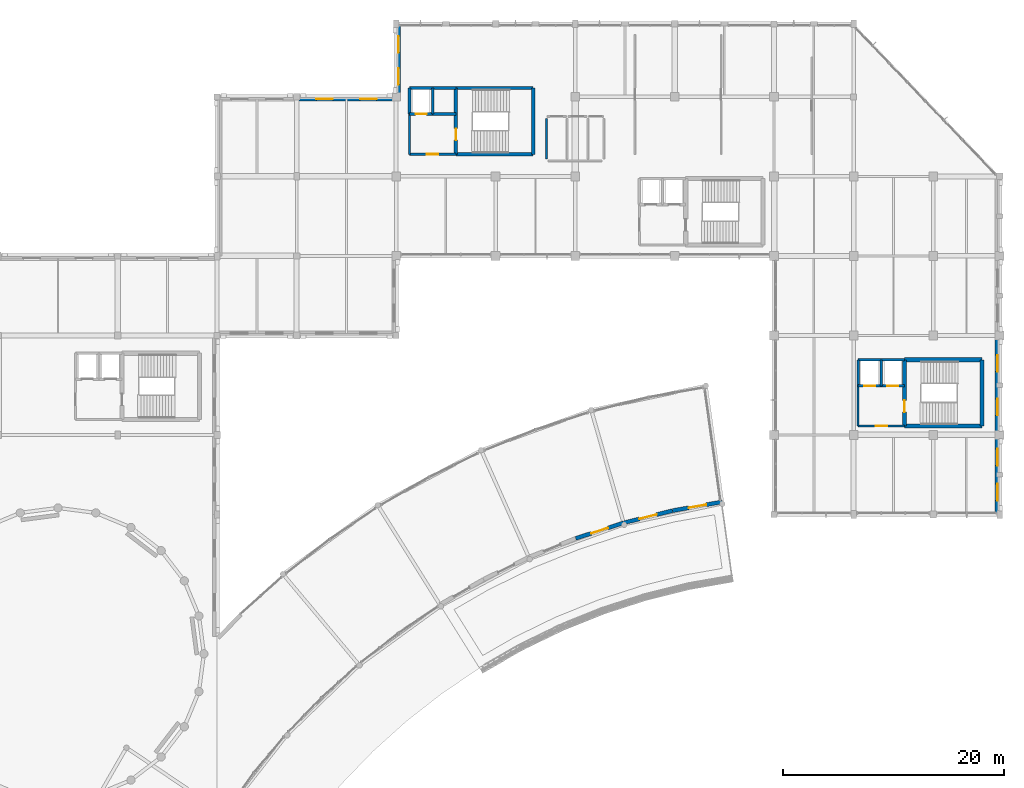
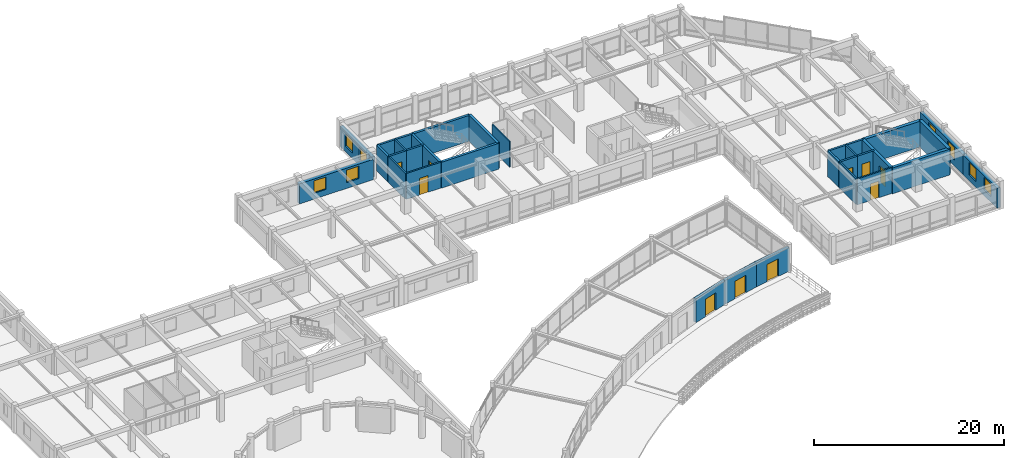
# One storey, part 57 of 74: 30 walls, 10 doors, 8 windows, 18 openings.
"""IFC4 building model written with IfcOpenShell, lengths in metres."""

import ifcopenshell
import ifcopenshell.guid

model = None  # the IFC model being written
_history = None  # IfcOwnerHistory: only IFC2X3 demands one
_inside = {}  # id of a spatial element -> (the spatial element, [elements in it])
_under = {}  # id of a project, library or spatial element -> (it, [spatial elements below it])
_declared = {}  # id of a project -> (the project, [libraries it declares])
_typed = {}  # id of a type object -> (the type object, [elements of that type])
_made_of = {}  # id of a material, layer set ... -> (it, [elements and type objects made of it])


def new_model(schema):
    """Start an empty IFC model of exactly this schema.

    Asked for "IFC4X3", IfcOpenShell would pick the latest addendum, in which some entities
    have other attributes; the version numbers below select the first issue.
    IFC2X3 requires an IfcOwnerHistory on every rooted entity: one is made here for all.
    """
    global model, _history
    if schema == "IFC4X3":
        model = ifcopenshell.file(schema_version=(4, 3, 0, 0))
    else:
        model = ifcopenshell.file(schema=schema)
    _inside.clear()
    _under.clear()
    _declared.clear()
    _typed.clear()
    _made_of.clear()
    _history = None
    if model.schema == "IFC2X3":
        org = make("IfcOrganization", Name="unknown")
        user = make(
            "IfcPersonAndOrganization",
            ThePerson=make("IfcPerson", FamilyName="unknown"),
            TheOrganization=org,
        )
        app = make(
            "IfcApplication",
            ApplicationDeveloper=org,
            Version="unknown",
            ApplicationFullName="unknown",
            ApplicationIdentifier="unknown",
        )
        _history = make(
            "IfcOwnerHistory",
            OwningUser=user,
            OwningApplication=app,
            ChangeAction="ADDED",
            CreationDate=0,
        )
    return model


def make(cls, **values):
    """One entity of the class cls with the attributes given. An attribute that is None is left unset."""
    return model.create_entity(
        cls, **{name: value for name, value in values.items() if value is not None}
    )


def rooted(cls, **values):
    """An entity with a GlobalId (a new one), such as an element, a storey or a relation."""
    return make(cls, GlobalId=ifcopenshell.guid.new(), OwnerHistory=_history, **values)


def si_unit(unit_type, name, prefix=None):
    """IfcSIUnit, for example si_unit("LENGTHUNIT", "METRE", prefix="MILLI")."""
    return make("IfcSIUnit", UnitType=unit_type, Prefix=prefix, Name=name)


def assignment(units):
    """IfcUnitAssignment: the units of a project."""
    return None if units is None else make("IfcUnitAssignment", Units=units)


def point(xyz):
    """IfcCartesianPoint."""
    return None if xyz is None else make("IfcCartesianPoint", Coordinates=xyz)


def direction(xyz):
    """IfcDirection."""
    return None if xyz is None else make("IfcDirection", DirectionRatios=xyz)


def frame(location, z_axis=None, x_axis=None):
    """IfcAxis2Placement3D, a coordinate frame: its origin and axes. An axis left out is left unset."""
    return make(
        "IfcAxis2Placement3D",
        Location=point(location),
        Axis=direction(z_axis),
        RefDirection=direction(x_axis),
    )


def frame_2d(location, x_axis=None):
    """IfcAxis2Placement2D, a coordinate frame in the plane: its origin and x axis."""
    return make(
        "IfcAxis2Placement2D", Location=point(location), RefDirection=direction(x_axis)
    )


def origin():
    """The frame at (0, 0, 0) with its axes left unset."""
    return frame((0.0, 0.0, 0.0))


def place(relative_to, where):
    """IfcLocalPlacement: puts the frame where relative to a parent placement (None: the world)."""
    return make(
        "IfcLocalPlacement", PlacementRelTo=relative_to, RelativePlacement=where
    )


def context(
    kind, dimensions, precision=None, world=None, true_north=None, identifier=None
):
    """IfcGeometricRepresentationContext, for example the 3D "Model" context."""
    return make(
        "IfcGeometricRepresentationContext",
        ContextIdentifier=identifier,
        ContextType=kind,
        CoordinateSpaceDimension=dimensions,
        Precision=precision,
        WorldCoordinateSystem=world,
        TrueNorth=true_north,
    )


def subcontext(parent, identifier, kind, view, scale=None):
    """IfcGeometricRepresentationSubContext, for example "Body" below "Model"."""
    return make(
        "IfcGeometricRepresentationSubContext",
        ContextIdentifier=identifier,
        ContextType=kind,
        ParentContext=parent,
        TargetScale=scale,
        TargetView=view,
    )


def project(units=None, contexts=None):
    """IfcProject with its units and contexts."""
    return rooted(
        "IfcProject",
        Name="project",
        RepresentationContexts=contexts,
        UnitsInContext=assignment(units),
    )


def spatial(cls, under=None, at=None, **own):
    """A site, building, storey or space (cls), placed at a placement, below another one or the project."""
    s = rooted(cls, ObjectPlacement=at, **own)
    if under is not None:
        _under.setdefault(under.id(), (under, []))[1].append(s)
    return s


def profile(cls, at=None, kind="AREA", **sizes):
    """A parametric profile (cls). Its sizes go by their IFC names, for example OverallWidth=200.0."""
    return make(cls, ProfileType=kind, Position=at, **sizes)


def rectangle(**sizes):
    """IfcRectangleProfileDef."""
    return profile("IfcRectangleProfileDef", **sizes)


def extrude(swept, where, along, depth):
    """IfcExtrudedAreaSolid: the profile swept, set in the frame where, extruded along a direction by depth."""
    return make(
        "IfcExtrudedAreaSolid",
        SweptArea=swept,
        Position=where,
        ExtrudedDirection=direction(along),
        Depth=depth,
    )


def shape(context_of_items, identifier, shape_type, items):
    """IfcShapeRepresentation: the items that make up one representation, for example the "Body"."""
    return make(
        "IfcShapeRepresentation",
        ContextOfItems=context_of_items,
        RepresentationIdentifier=identifier,
        RepresentationType=shape_type,
        Items=items,
    )


def material(Name=None, Category=None):
    """IfcMaterial."""
    return make("IfcMaterial", Name=Name, Category=Category)


def layer(
    of_material, thickness, ventilated=None, Name=None, Category=None, Priority=None
):
    """IfcMaterialLayer: one layer of a wall or slab, of a material (None: an air gap)."""
    return make(
        "IfcMaterialLayer",
        Material=of_material,
        LayerThickness=thickness,
        IsVentilated=ventilated,
        Name=Name,
        Category=Category,
        Priority=Priority,
    )


def layer_set(layers, Name=None):
    """IfcMaterialLayerSet."""
    return make("IfcMaterialLayerSet", MaterialLayers=layers, LayerSetName=Name)


def made_of(thing, what):
    """Note that an element or type object is made of a material, layer set ...; save() writes the relation."""
    if what is not None:
        _made_of.setdefault(what.id(), (what, []))[1].append(thing)
    return thing


def type_object(cls, material=None, **own):
    """A type object (cls), such as IfcWallType, which elements share."""
    return made_of(rooted(cls, **own), material)


def element(
    cls,
    number,
    at=None,
    inside=None,
    cuts=None,
    type_object=None,
    material=None,
    context=None,
    identifier="Body",
    shape_type=None,
    held_by="IfcProductDefinitionShape",
    body=None,
    shapes=None,
    **own,
):
    """One element of the class cls, such as IfcWall. Its Tag is "e" and its number.

    at: its placement. inside: the storey or other place that contains it. cuts: it is an
    opening in that element (IfcRelVoidsElement). A single representation is given by context,
    identifier, shape_type and body (its items); several are given by shapes. held_by: the class
    of the entity that holds the representations. save() writes the other relations.
    """
    e = rooted(cls, Tag="e%d" % number, ObjectPlacement=at, **own)
    if body is not None:
        shapes = [shape(context, identifier, shape_type, body)]
    if shapes is not None:
        e.Representation = make(held_by, Representations=shapes)
    if inside is not None:
        _inside.setdefault(inside.id(), (inside, []))[1].append(e)
    if cuts is not None:
        rooted(
            "IfcRelVoidsElement", RelatingBuildingElement=cuts, RelatedOpeningElement=e
        )
    if type_object is not None:
        _typed.setdefault(type_object.id(), (type_object, []))[1].append(e)
    return made_of(e, material)


def fill(opening, filler):
    """IfcRelFillsElement: the door or window that sits in an opening."""
    return rooted(
        "IfcRelFillsElement",
        RelatingOpeningElement=opening,
        RelatedBuildingElement=filler,
    )


def aggregate(whole, parts):
    """IfcRelAggregates: a whole, such as a stair, and the parts it consists of."""
    return rooted("IfcRelAggregates", RelatingObject=whole, RelatedObjects=parts)


def save(model, path):
    """Write the relations noted so far, then the file.

    IfcRelAggregates (storeys below a building ...), IfcRelContainedInSpatialStructure (elements
    in a storey), IfcRelDefinesByType, IfcRelAssociatesMaterial and IfcRelDeclares: one each for
    every whole, place, type object, material and project.
    """
    for whole, parts in _under.values():
        aggregate(whole, parts)
    for where, things in _inside.values():
        rooted(
            "IfcRelContainedInSpatialStructure",
            RelatedElements=things,
            RelatingStructure=where,
        )
    for kind, things in _typed.values():
        rooted("IfcRelDefinesByType", RelatedObjects=things, RelatingType=kind)
    for what, things in _made_of.values():
        rooted("IfcRelAssociatesMaterial", RelatedObjects=things, RelatingMaterial=what)
    for by, libraries in _declared.values():
        rooted("IfcRelDeclares", RelatingContext=by, RelatedDefinitions=libraries)
    model.write(path)


model = new_model("IFC4")

# Units and contexts
model_context = context("Model", 3, precision=1e-05, world=origin(), true_north=direction((0.0, 1.0)))
body_context = subcontext(model_context, "Body", "Model", "MODEL_VIEW")
ifc_project = project(units=[si_unit("LENGTHUNIT", "METRE"), si_unit("AREAUNIT", "SQUARE_METRE"), si_unit("VOLUMEUNIT", "CUBIC_METRE"), si_unit("PLANEANGLEUNIT", "RADIAN"), si_unit("MASSUNIT", "GRAM", prefix="KILO")], contexts=[model_context])

# Site, building, storey
site_placement = place(None, origin())
site = spatial("IfcSite", under=ifc_project, at=site_placement, CompositionType="ELEMENT")
building_placement = place(site_placement, origin())
building = spatial("IfcBuilding", under=site, at=building_placement, Name="Clarverna Civic Hall", CompositionType="ELEMENT")
storey_placement = place(building_placement, frame((0.0, 0.0, 9.60009765625)))
storey = spatial("IfcBuildingStorey", under=building, at=storey_placement, Name="L02", CompositionType="ELEMENT", Elevation=9.60009765625)

# Wall, openings, windows
ifc_material_1 = material(Name="Montjuic Limestone Ashlar Cladding", Category="masonry")
ifc_layer_1 = layer(ifc_material_1, 0.39990234375)
ifc_layer_set_1 = layer_set([ifc_layer_1], Name="Montjuic Limestone Ashlar Cladding")
wall_type_1 = type_object("IfcWallType", Name="EW-02", PredefinedType="SOLIDWALL", material=ifc_layer_set_1)
wall_1_placement = place(storey_placement, frame((104.39990234375, 109.199951171875, 0.0), z_axis=(0.0, 0.0, 1.0), x_axis=(1.0, 0.0, 0.0)))
wall_1 = element("IfcWall", 1, at=wall_1_placement, inside=storey, type_object=wall_type_1, Name="EW-02-101", PredefinedType="SOLIDWALL", context=body_context, shape_type="SweptSolid", body=[
    extrude(rectangle(XDim=9.0, YDim=0.39990234375, at=frame_2d((4.5, 0.0))), origin(), (0.0, 0.0, 1.0), 2.599853515625),
])
opening_1_placement = place(wall_1_placement, frame((1.77001953125, 0.0, 0.75)))
opening_1 = element("IfcOpeningElement", 2, at=opening_1_placement, cuts=wall_1, Name="Opening WN-14", PredefinedType="OPENING", context=body_context, shape_type="SweptSolid", body=[
    extrude(rectangle(XDim=1.5, YDim=1.60009765625, at=frame_2d((0.75, 0.800048828125))), frame((0.0, 0.2099609375, 0.0), z_axis=(0.0, -1.0, 0.0), x_axis=(1.0, 0.0, 0.0)), (0.0, 0.0, 1.0), 0.419921875),
])
opening_2_placement = place(wall_1_placement, frame((5.72998046875, 0.0, 0.75)))
opening_2 = element("IfcOpeningElement", 3, at=opening_2_placement, cuts=wall_1, Name="Opening WN-14", PredefinedType="OPENING", context=body_context, shape_type="SweptSolid", body=[
    extrude(rectangle(XDim=1.5, YDim=1.60009765625, at=frame_2d((0.75, 0.800048828125))), frame((0.0, 0.2099609375, 0.0), z_axis=(0.0, -1.0, 0.0), x_axis=(1.0, 0.0, 0.0)), (0.0, 0.0, 1.0), 0.419921875),
])
ifc_material_2 = material(Name="Solar-Control Argon Low-E Double Glazing", Category="glass")
window_type = type_object("IfcWindowType", Name="WN-14", PartitioningType="DOUBLE_PANEL_HORIZONTAL", PredefinedType="WINDOW", material=ifc_material_2)
window_1_placement = place(opening_1_placement, origin())
window_1 = element("IfcWindow", 4, at=window_1_placement, inside=storey, type_object=window_type, Name="WN-14-050", OverallHeight=1.60009765625, OverallWidth=1.5, PartitioningType="DOUBLE_PANEL_HORIZONTAL", PredefinedType="WINDOW", context=body_context, shape_type="SweptSolid", body=[
    extrude(rectangle(XDim=1.5, YDim=1.60009765625, at=frame_2d((0.75, 0.800048828125))), frame((0.0, 0.030029296875, 0.0), z_axis=(0.0, -1.0, 0.0), x_axis=(1.0, 0.0, 0.0)), (0.0, 0.0, 1.0), 0.06005859375),
])
fill(opening_1, window_1)
window_2_placement = place(opening_2_placement, origin())
window_2 = element("IfcWindow", 5, at=window_2_placement, inside=storey, type_object=window_type, Name="WN-14-051", OverallHeight=1.60009765625, OverallWidth=1.5, PartitioningType="DOUBLE_PANEL_HORIZONTAL", PredefinedType="WINDOW", context=body_context, shape_type="SweptSolid", body=[
    extrude(rectangle(XDim=1.5, YDim=1.60009765625, at=frame_2d((0.75, 0.800048828125))), frame((0.0, 0.030029296875, 0.0), z_axis=(0.0, -1.0, 0.0), x_axis=(1.0, 0.0, 0.0)), (0.0, 0.0, 1.0), 0.06005859375),
])
fill(opening_2, window_2)

wall_2_placement = place(storey_placement, frame((113.60009765625, 109.39990234375, 0.0), z_axis=(0.0, 0.0, 1.0), x_axis=(0.0, 1.0, 0.0)))
wall_2 = element("IfcWall", 6, at=wall_2_placement, inside=storey, type_object=wall_type_1, Name="EW-02-102", PredefinedType="SOLIDWALL", context=body_context, shape_type="SweptSolid", body=[
    extrude(rectangle(XDim=6.60009765625, YDim=0.39990234375, at=frame_2d((3.300048828125, 0.0))), origin(), (0.0, 0.0, 1.0), 2.639892578125),
])
opening_3_placement = place(wall_2_placement, frame((1.097900390625, 0.0, 0.75)))
opening_3 = element("IfcOpeningElement", 7, at=opening_3_placement, cuts=wall_2, Name="Opening WN-14", PredefinedType="OPENING", context=body_context, shape_type="SweptSolid", body=[
    extrude(rectangle(XDim=1.5, YDim=1.60009765625, at=frame_2d((0.75, 0.800048828125))), frame((0.0, 0.2099609375, 0.0), z_axis=(0.0, -1.0, 0.0), x_axis=(1.0, 0.0, 0.0)), (0.0, 0.0, 1.0), 0.419921875),
])
opening_4_placement = place(wall_2_placement, frame((4.001953125, 0.0, 0.75)))
opening_4 = element("IfcOpeningElement", 8, at=opening_4_placement, cuts=wall_2, Name="Opening WN-14", PredefinedType="OPENING", context=body_context, shape_type="SweptSolid", body=[
    extrude(rectangle(XDim=1.5, YDim=1.60009765625, at=frame_2d((0.75, 0.800048828125))), frame((0.0, 0.2099609375, 0.0), z_axis=(0.0, -1.0, 0.0), x_axis=(1.0, 0.0, 0.0)), (0.0, 0.0, 1.0), 0.419921875),
])
window_3_placement = place(opening_3_placement, origin())
window_3 = element("IfcWindow", 9, at=window_3_placement, inside=storey, type_object=window_type, Name="WN-14-052", OverallHeight=1.60009765625, OverallWidth=1.5, PartitioningType="DOUBLE_PANEL_HORIZONTAL", PredefinedType="WINDOW", context=body_context, shape_type="SweptSolid", body=[
    extrude(rectangle(XDim=1.5, YDim=1.60009765625, at=frame_2d((0.75, 0.800048828125))), frame((0.0, 0.030029296875, 0.0), z_axis=(0.0, -1.0, 0.0), x_axis=(1.0, 0.0, 0.0)), (0.0, 0.0, 1.0), 0.06005859375),
])
fill(opening_3, window_3)
window_4_placement = place(opening_4_placement, origin())
window_4 = element("IfcWindow", 10, at=window_4_placement, inside=storey, type_object=window_type, Name="WN-14-053", OverallHeight=1.60009765625, OverallWidth=1.5, PartitioningType="DOUBLE_PANEL_HORIZONTAL", PredefinedType="WINDOW", context=body_context, shape_type="SweptSolid", body=[
    extrude(rectangle(XDim=1.5, YDim=1.60009765625, at=frame_2d((0.75, 0.800048828125))), frame((0.0, 0.030029296875, 0.0), z_axis=(0.0, -1.0, 0.0), x_axis=(1.0, 0.0, 0.0)), (0.0, 0.0, 1.0), 0.06005859375),
])
fill(opening_4, window_4)

wall_3_placement = place(storey_placement, frame((167.800048828125, 87.800048828125, 0.0), z_axis=(0.0, 0.0, 1.0), x_axis=(0.0, -1.0, 0.0)))
wall_3 = element("IfcWall", 11, at=wall_3_placement, inside=storey, type_object=wall_type_1, Name="EW-02-105", PredefinedType="SOLIDWALL", context=body_context, shape_type="SweptSolid", body=[
    extrude(rectangle(XDim=9.0, YDim=0.39990234375, at=frame_2d((4.5, 0.0))), origin(), (0.0, 0.0, 1.0), 2.56982421875),
])
opening_5_placement = place(wall_3_placement, frame((1.77001953125, 0.0, 0.75)))
opening_5 = element("IfcOpeningElement", 12, at=opening_5_placement, cuts=wall_3, Name="Opening WN-14", PredefinedType="OPENING", context=body_context, shape_type="SweptSolid", body=[
    extrude(rectangle(XDim=1.5, YDim=1.60009765625, at=frame_2d((0.75, 0.800048828125))), frame((0.0, 0.2099609375, 0.0), z_axis=(0.0, -1.0, 0.0), x_axis=(1.0, 0.0, 0.0)), (0.0, 0.0, 1.0), 0.419921875),
])
opening_6_placement = place(wall_3_placement, frame((5.72998046875, 0.0, 0.75)))
opening_6 = element("IfcOpeningElement", 13, at=opening_6_placement, cuts=wall_3, Name="Opening WN-14", PredefinedType="OPENING", context=body_context, shape_type="SweptSolid", body=[
    extrude(rectangle(XDim=1.5, YDim=1.60009765625, at=frame_2d((0.75, 0.800048828125))), frame((0.0, 0.2099609375, 0.0), z_axis=(0.0, -1.0, 0.0), x_axis=(1.0, 0.0, 0.0)), (0.0, 0.0, 1.0), 0.419921875),
])
window_5_placement = place(opening_5_placement, origin())
window_5 = element("IfcWindow", 14, at=window_5_placement, inside=storey, type_object=window_type, Name="WN-14-056", OverallHeight=1.60009765625, OverallWidth=1.5, PartitioningType="DOUBLE_PANEL_HORIZONTAL", PredefinedType="WINDOW", context=body_context, shape_type="SweptSolid", body=[
    extrude(rectangle(XDim=1.5, YDim=1.60009765625, at=frame_2d((0.75, 0.800048828125))), frame((0.0, 0.030029296875, 0.0), z_axis=(0.0, -1.0, 0.0), x_axis=(1.0, 0.0, 0.0)), (0.0, 0.0, 1.0), 0.06005859375),
])
fill(opening_5, window_5)
window_6_placement = place(opening_6_placement, origin())
window_6 = element("IfcWindow", 15, at=window_6_placement, inside=storey, type_object=window_type, Name="WN-14-057", OverallHeight=1.60009765625, OverallWidth=1.5, PartitioningType="DOUBLE_PANEL_HORIZONTAL", PredefinedType="WINDOW", context=body_context, shape_type="SweptSolid", body=[
    extrude(rectangle(XDim=1.5, YDim=1.60009765625, at=frame_2d((0.75, 0.800048828125))), frame((0.0, 0.030029296875, 0.0), z_axis=(0.0, -1.0, 0.0), x_axis=(1.0, 0.0, 0.0)), (0.0, 0.0, 1.0), 0.06005859375),
])
fill(opening_6, window_6)

wall_4_placement = place(storey_placement, frame((167.800048828125, 78.800048828125, 0.0), z_axis=(0.0, 0.0, 1.0), x_axis=(0.0, -1.0, 0.0)))
wall_4 = element("IfcWall", 16, at=wall_4_placement, inside=storey, type_object=wall_type_1, Name="EW-02-106", PredefinedType="SOLIDWALL", context=body_context, shape_type="SweptSolid", body=[
    extrude(rectangle(XDim=7.199951171875, YDim=0.39990234375, at=frame_2d((3.60009765625, 0.0))), origin(), (0.0, 0.0, 1.0), 2.56982421875),
])
opening_7_placement = place(wall_4_placement, frame((1.26611328125, 0.0, 0.75)))
opening_7 = element("IfcOpeningElement", 17, at=opening_7_placement, cuts=wall_4, Name="Opening WN-14", PredefinedType="OPENING", context=body_context, shape_type="SweptSolid", body=[
    extrude(rectangle(XDim=1.5, YDim=1.60009765625, at=frame_2d((0.75, 0.800048828125))), frame((0.0, 0.2099609375, 0.0), z_axis=(0.0, -1.0, 0.0), x_axis=(1.0, 0.0, 0.0)), (0.0, 0.0, 1.0), 0.419921875),
])
opening_8_placement = place(wall_4_placement, frame((4.43408203125, 0.0, 0.75)))
opening_8 = element("IfcOpeningElement", 18, at=opening_8_placement, cuts=wall_4, Name="Opening WN-14", PredefinedType="OPENING", context=body_context, shape_type="SweptSolid", body=[
    extrude(rectangle(XDim=1.5, YDim=1.60009765625, at=frame_2d((0.75, 0.800048828125))), frame((0.0, 0.2099609375, 0.0), z_axis=(0.0, -1.0, 0.0), x_axis=(1.0, 0.0, 0.0)), (0.0, 0.0, 1.0), 0.419921875),
])
window_7_placement = place(opening_7_placement, origin())
window_7 = element("IfcWindow", 19, at=window_7_placement, inside=storey, type_object=window_type, Name="WN-14-058", OverallHeight=1.60009765625, OverallWidth=1.5, PartitioningType="DOUBLE_PANEL_HORIZONTAL", PredefinedType="WINDOW", context=body_context, shape_type="SweptSolid", body=[
    extrude(rectangle(XDim=1.5, YDim=1.60009765625, at=frame_2d((0.75, 0.800048828125))), frame((0.0, 0.030029296875, 0.0), z_axis=(0.0, -1.0, 0.0), x_axis=(1.0, 0.0, 0.0)), (0.0, 0.0, 1.0), 0.06005859375),
])
fill(opening_7, window_7)
window_8_placement = place(opening_8_placement, origin())
window_8 = element("IfcWindow", 20, at=window_8_placement, inside=storey, type_object=window_type, Name="WN-14-059", OverallHeight=1.60009765625, OverallWidth=1.5, PartitioningType="DOUBLE_PANEL_HORIZONTAL", PredefinedType="WINDOW", context=body_context, shape_type="SweptSolid", body=[
    extrude(rectangle(XDim=1.5, YDim=1.60009765625, at=frame_2d((0.75, 0.800048828125))), frame((0.0, 0.030029296875, 0.0), z_axis=(0.0, -1.0, 0.0), x_axis=(1.0, 0.0, 0.0)), (0.0, 0.0, 1.0), 0.06005859375),
])
fill(opening_8, window_8)

# Wall, opening, door
ifc_layer_2 = layer(ifc_material_1, 0.360107421875)
ifc_layer_set_2 = layer_set([ifc_layer_2], Name="Montjuic Limestone Ashlar Cladding")
wall_type_2 = type_object("IfcWallType", Name="EW-03", PredefinedType="SOLIDWALL", material=ifc_layer_set_2)
wall_5_placement = place(storey_placement, frame((142.89453125, 72.742919921875, 0.0), z_axis=(0.0, 0.0, 1.0), x_axis=(-0.984797057595, -0.173708823473, 0.0)))
wall_5 = element("IfcWall", 21, at=wall_5_placement, inside=storey, type_object=wall_type_2, Name="EW-03-010", PredefinedType="SOLIDWALL", context=body_context, shape_type="SweptSolid", body=[
    extrude(rectangle(XDim=4.55078125, YDim=0.360107421875, at=frame_2d((2.275390625, 0.0))), origin(), (0.0, 0.0, 1.0), 3.0498046875),
])
opening_9_placement = place(wall_5_placement, frame((1.475341796875, 0.0, 0.0)))
opening_9 = element("IfcOpeningElement", 22, at=opening_9_placement, cuts=wall_5, Name="Opening ED-04", PredefinedType="OPENING", context=body_context, shape_type="SweptSolid", body=[
    extrude(rectangle(XDim=1.60009765625, YDim=2.25, at=frame_2d((0.800048828125, 1.125))), frame((0.0, 0.18994140625, 0.0), z_axis=(0.0, -1.0, 0.0), x_axis=(1.0, 0.0, 0.0)), (0.0, 0.0, 1.0), 0.380126953125),
])
ifc_material_3 = material(Name="Anodised Bronze Glazed Door")
door_type_1 = type_object("IfcDoorType", Name="ED-04", OperationType="DOUBLE_DOOR_SINGLE_SWING", PredefinedType="DOOR", material=ifc_material_3)
door_1_placement = place(opening_9_placement, origin())
door_1 = element("IfcDoor", 23, at=door_1_placement, inside=storey, type_object=door_type_1, Name="ED-04-013", OperationType="DOUBLE_DOOR_SINGLE_SWING", OverallHeight=2.25, OverallWidth=1.60009765625, PredefinedType="DOOR", context=body_context, shape_type="SweptSolid", body=[
    extrude(rectangle(XDim=1.60009765625, YDim=2.25, at=frame_2d((0.800048828125, 1.125))), frame((0.0, 0.02490234375, 0.0), z_axis=(0.0, -1.0, 0.0), x_axis=(1.0, 0.0, 0.0)), (0.0, 0.0, 1.0), 0.050048828125),
])
fill(opening_9, door_1)

wall_6_placement = place(storey_placement, frame((138.400634765625, 71.949951171875, 0.0), z_axis=(0.0, 0.0, 1.0), x_axis=(-0.970303225887, -0.241891814316, 0.0)))
wall_6 = element("IfcWall", 24, at=wall_6_placement, inside=storey, type_object=wall_type_2, Name="EW-03-011", PredefinedType="SOLIDWALL", context=body_context, shape_type="SweptSolid", body=[
    extrude(rectangle(XDim=4.551025390625, YDim=0.360107421875, at=frame_2d((2.275390625, 0.0))), origin(), (0.0, 0.0, 1.0), 3.0498046875),
])
opening_10_placement = place(wall_6_placement, frame((1.4755859375, 0.0, 0.0)))
opening_10 = element("IfcOpeningElement", 25, at=opening_10_placement, cuts=wall_6, Name="Opening ED-04", PredefinedType="OPENING", context=body_context, shape_type="SweptSolid", body=[
    extrude(rectangle(XDim=1.60009765625, YDim=2.25, at=frame_2d((0.800048828125, 1.125))), frame((0.0, 0.18994140625, 0.0), z_axis=(0.0, -1.0, 0.0), x_axis=(1.0, 0.0, 0.0)), (0.0, 0.0, 1.0), 0.380126953125),
])
door_2_placement = place(opening_10_placement, origin())
door_2 = element("IfcDoor", 26, at=door_2_placement, inside=storey, type_object=door_type_1, Name="ED-04-014", OperationType="DOUBLE_DOOR_SINGLE_SWING", OverallHeight=2.25, OverallWidth=1.60009765625, PredefinedType="DOOR", context=body_context, shape_type="SweptSolid", body=[
    extrude(rectangle(XDim=1.60009765625, YDim=2.25, at=frame_2d((0.800048828125, 1.125))), frame((0.0, 0.02490234375, 0.0), z_axis=(0.0, -1.0, 0.0), x_axis=(1.0, 0.0, 0.0)), (0.0, 0.0, 1.0), 0.050048828125),
])
fill(opening_10, door_2)

wall_7_placement = place(storey_placement, frame((133.972900390625, 70.845458984375, 0.0), z_axis=(0.0, 0.0, 1.0), x_axis=(-0.951059297078, -0.309008435874, 0.0)))
wall_7 = element("IfcWall", 27, at=wall_7_placement, inside=storey, type_object=wall_type_2, Name="EW-03-012", PredefinedType="SOLIDWALL", context=body_context, shape_type="SweptSolid", body=[
    extrude(rectangle(XDim=4.55078125, YDim=0.360107421875, at=frame_2d((2.275390625, 0.0))), origin(), (0.0, 0.0, 1.0), 3.0498046875),
])
opening_11_placement = place(wall_7_placement, frame((1.475341796875, 0.0, 0.0)))
opening_11 = element("IfcOpeningElement", 28, at=opening_11_placement, cuts=wall_7, Name="Opening ED-04", PredefinedType="OPENING", context=body_context, shape_type="SweptSolid", body=[
    extrude(rectangle(XDim=1.60009765625, YDim=2.25, at=frame_2d((0.800048828125, 1.125))), frame((0.0, 0.18994140625, 0.0), z_axis=(0.0, -1.0, 0.0), x_axis=(1.0, 0.0, 0.0)), (0.0, 0.0, 1.0), 0.380126953125),
])
door_3_placement = place(opening_11_placement, origin())
door_3 = element("IfcDoor", 29, at=door_3_placement, inside=storey, type_object=door_type_1, Name="ED-04-015", OperationType="DOUBLE_DOOR_SINGLE_SWING", OverallHeight=2.25, OverallWidth=1.60009765625, PredefinedType="DOOR", context=body_context, shape_type="SweptSolid", body=[
    extrude(rectangle(XDim=1.60009765625, YDim=2.25, at=frame_2d((0.800048828125, 1.125))), frame((0.0, 0.02490234375, 0.0), z_axis=(0.0, -1.0, 0.0), x_axis=(1.0, 0.0, 0.0)), (0.0, 0.0, 1.0), 0.050048828125),
])
fill(opening_11, door_3)

# Walls
ifc_material_4 = material(Name="Ceramic Brick and Plaster Wet-Room Partition", Category="masonry")
ifc_layer_3 = layer(ifc_material_4, 0.139892578125)
ifc_layer_set_3 = layer_set([ifc_layer_3], Name="Ceramic Brick and Plaster Wet-Room Partition")
wall_type_3 = type_object("IfcWallType", Name="PW-02", PredefinedType="PARTITIONING", material=ifc_layer_set_3)
wall_8_placement = place(storey_placement, frame((127.0, 103.780029296875, 0.0), z_axis=(0.0, 0.0, 1.0), x_axis=(0.0, 1.0, 0.0)))
element("IfcWall", 30, at=wall_8_placement, inside=storey, type_object=wall_type_3, Name="PW-02-026", PredefinedType="PARTITIONING", context=body_context, shape_type="SweptSolid", body=[
    extrude(rectangle(XDim=3.639892578125, YDim=0.139892578125, at=frame_2d((1.81982421875, 0.0))), origin(), (0.0, 0.0, 1.0), 3.31982421875),
])
ifc_material_5 = material(Name="Acoustic Gypsum Plasterboard on Twin Frame", Category="gypsum")
ifc_layer_4 = layer(ifc_material_5, 0.18994140625)
ifc_layer_set_4 = layer_set([ifc_layer_4], Name="Acoustic Gypsum Plasterboard on Twin Frame")
wall_type_4 = type_object("IfcWallType", Name="PW-06", PredefinedType="PARTITIONING", material=ifc_layer_set_4)
wall_9_placement = place(storey_placement, frame((155.199951171875, 79.60009765625, 0.0), z_axis=(0.0, 0.0, 1.0), x_axis=(0.0, 1.0, 0.0)))
element("IfcWall", 31, at=wall_9_placement, inside=storey, type_object=wall_type_4, Name="PW-06-025", PredefinedType="PARTITIONING", context=body_context, shape_type="SweptSolid", body=[
    extrude(rectangle(XDim=3.64990234375, YDim=0.18994140625, at=frame_2d((1.824951171875, 0.0))), origin(), (0.0, 0.0, 1.0), 3.31982421875),
])

# Wall, opening, door
wall_10_placement = place(storey_placement, frame((155.199951171875, 79.60009765625, 0.0), z_axis=(0.0, 0.0, 1.0), x_axis=(1.0, 0.0, 0.0)))
wall_10 = element("IfcWall", 32, at=wall_10_placement, inside=storey, type_object=wall_type_4, Name="PW-06-026", PredefinedType="PARTITIONING", context=body_context, shape_type="SweptSolid", body=[
    extrude(rectangle(XDim=4.199951171875, YDim=0.18994140625, at=frame_2d((2.10009765625, 0.0))), origin(), (0.0, 0.0, 1.0), 3.31982421875),
])
opening_12_placement = place(wall_10_placement, frame((1.574951171875, 0.0, 0.0)))
opening_12 = element("IfcOpeningElement", 33, at=opening_12_placement, cuts=wall_10, Name="Opening FD-02", PredefinedType="OPENING", context=body_context, shape_type="SweptSolid", body=[
    extrude(rectangle(XDim=1.050048828125, YDim=2.14990234375, at=frame_2d((0.52490234375, 1.074951171875))), frame((0.0, 0.10498046875, 0.0), z_axis=(0.0, -1.0, 0.0), x_axis=(1.0, 0.0, 0.0)), (0.0, 0.0, 1.0), 0.2099609375),
])
ifc_material_6 = material(Name="Acoustic Timber-Faced Fire Door", Category="wood")
door_type_2 = type_object("IfcDoorType", Name="FD-02", OperationType="NOTDEFINED", PredefinedType="DOOR", material=ifc_material_6)
door_4_placement = place(opening_12_placement, origin())
door_4 = element("IfcDoor", 34, at=door_4_placement, inside=storey, type_object=door_type_2, Name="FD-02-024", OperationType="SINGLE_SWING_RIGHT", OverallHeight=2.14990234375, OverallWidth=1.050048828125, PredefinedType="DOOR", context=body_context, shape_type="SweptSolid", body=[
    extrude(rectangle(XDim=1.050048828125, YDim=2.14990234375, at=frame_2d((0.52490234375, 1.074951171875))), frame((0.0, 0.02490234375, 0.0), z_axis=(0.0, -1.0, 0.0), x_axis=(1.0, 0.0, 0.0)), (0.0, 0.0, 1.0), 0.050048828125),
])
fill(opening_12, door_4)

# Wall
wall_11_placement = place(storey_placement, frame((114.60009765625, 104.199951171875, 0.0), z_axis=(0.0, 0.0, 1.0), x_axis=(0.0, 1.0, 0.0)))
element("IfcWall", 35, at=wall_11_placement, inside=storey, type_object=wall_type_4, Name="PW-06-095", PredefinedType="PARTITIONING", context=body_context, shape_type="SweptSolid", body=[
    extrude(rectangle(XDim=3.650146484375, YDim=0.18994140625, at=frame_2d((1.8251953125, 0.0))), origin(), (0.0, 0.0, 1.0), 3.31982421875),
])

# Wall, opening, door
wall_12_placement = place(storey_placement, frame((114.60009765625, 104.199951171875, 0.0), z_axis=(0.0, 0.0, 1.0), x_axis=(1.0, 0.0, 0.0)))
wall_12 = element("IfcWall", 36, at=wall_12_placement, inside=storey, type_object=wall_type_4, Name="PW-06-096", PredefinedType="PARTITIONING", context=body_context, shape_type="SweptSolid", body=[
    extrude(rectangle(XDim=4.199951171875, YDim=0.18994140625, at=frame_2d((2.10009765625, 0.0))), origin(), (0.0, 0.0, 1.0), 3.31982421875),
])
opening_13_placement = place(wall_12_placement, frame((1.574951171875, 0.0, 0.0)))
opening_13 = element("IfcOpeningElement", 37, at=opening_13_placement, cuts=wall_12, Name="Opening FD-02", PredefinedType="OPENING", context=body_context, shape_type="SweptSolid", body=[
    extrude(rectangle(XDim=1.050048828125, YDim=2.14990234375, at=frame_2d((0.52490234375, 1.074951171875))), frame((0.0, 0.10498046875, 0.0), z_axis=(0.0, -1.0, 0.0), x_axis=(1.0, 0.0, 0.0)), (0.0, 0.0, 1.0), 0.2099609375),
])
door_5_placement = place(opening_13_placement, origin())
door_5 = element("IfcDoor", 38, at=door_5_placement, inside=storey, type_object=door_type_2, Name="FD-02-088", OperationType="SINGLE_SWING_RIGHT", OverallHeight=2.14990234375, OverallWidth=1.050048828125, PredefinedType="DOOR", context=body_context, shape_type="SweptSolid", body=[
    extrude(rectangle(XDim=1.050048828125, YDim=2.14990234375, at=frame_2d((0.52490234375, 1.074951171875))), frame((0.0, 0.02490234375, 0.0), z_axis=(0.0, -1.0, 0.0), x_axis=(1.0, 0.0, 0.0)), (0.0, 0.0, 1.0), 0.050048828125),
])
fill(opening_13, door_5)

ifc_material_7 = material(Name="Concrete C35/45", Category="concrete")
ifc_layer_5 = layer(ifc_material_7, 0.3798828125)
ifc_layer_set_5 = layer_set([ifc_layer_5], Name="Concrete C35/45")
wall_type_5 = type_object("IfcWallType", Name="SW-01", PredefinedType="SHEAR", material=ifc_layer_set_5)
wall_13_placement = place(storey_placement, frame((159.39990234375, 79.60009765625, 0.0), z_axis=(0.0, 0.0, 1.0), x_axis=(0.0, 1.0, 0.0)))
wall_13 = element("IfcWall", 39, at=wall_13_placement, inside=storey, type_object=wall_type_5, Name="SW-01-109", PredefinedType="SHEAR", context=body_context, shape_type="SweptSolid", body=[
    extrude(rectangle(XDim=6.0, YDim=0.3798828125, at=frame_2d((3.0, 0.0))), origin(), (0.0, 0.0, 1.0), 3.31982421875),
])
opening_14_placement = place(wall_13_placement, frame((1.27490234375, 0.0, 0.0)))
opening_14 = element("IfcOpeningElement", 40, at=opening_14_placement, cuts=wall_13, Name="Opening FD-02", PredefinedType="OPENING", context=body_context, shape_type="SweptSolid", body=[
    extrude(rectangle(XDim=1.050048828125, YDim=2.14990234375, at=frame_2d((0.52490234375, 1.074951171875))), frame((0.0, 0.199951171875, 0.0), z_axis=(0.0, -1.0, 0.0), x_axis=(1.0, 0.0, 0.0)), (0.0, 0.0, 1.0), 0.39990234375),
])
door_6_placement = place(opening_14_placement, origin())
door_6 = element("IfcDoor", 41, at=door_6_placement, inside=storey, type_object=door_type_2, Name="FD-02-023", OperationType="SINGLE_SWING_LEFT", OverallHeight=2.14990234375, OverallWidth=1.050048828125, PredefinedType="DOOR", context=body_context, shape_type="SweptSolid", body=[
    extrude(rectangle(XDim=1.050048828125, YDim=2.14990234375, at=frame_2d((0.52490234375, 1.074951171875))), frame((0.0, 0.02490234375, 0.0), z_axis=(0.0, -1.0, 0.0), x_axis=(1.0, 0.0, 0.0)), (0.0, 0.0, 1.0), 0.050048828125),
])
fill(opening_14, door_6)

# Walls
wall_14_placement = place(storey_placement, frame((166.39990234375, 79.60009765625, 0.0), z_axis=(0.0, 0.0, 1.0), x_axis=(0.0, 1.0, 0.0)))
element("IfcWall", 42, at=wall_14_placement, inside=storey, type_object=wall_type_5, Name="SW-01-110", PredefinedType="SHEAR", context=body_context, shape_type="SweptSolid", body=[
    extrude(rectangle(XDim=6.0, YDim=0.3798828125, at=frame_2d((3.0, 0.0))), origin(), (0.0, 0.0, 1.0), 3.31982421875),
])
for number, where, z_axis, x_axis, name in (
    (43, (159.39990234375, 79.60009765625, 0.0), (0.0, 0.0, 1.0), (1.0, 0.0, 0.0), "SW-01-111"),
    (44, (159.39990234375, 85.60009765625, 0.0), (0.0, 0.0, 1.0), (1.0, 0.0, 0.0), "SW-01-112"),
):
    element("IfcWall", number, at=place(storey_placement, frame(where, z_axis=z_axis, x_axis=x_axis)), inside=storey, type_object=wall_type_5, Name=name, PredefinedType="SHEAR", context=body_context, shape_type="SweptSolid", body=[
        extrude(rectangle(XDim=7.0, YDim=0.3798828125, at=frame_2d((3.5, 0.0))), origin(), (0.0, 0.0, 1.0), 3.31982421875),
    ])
wall_15_placement = place(storey_placement, frame((155.199951171875, 85.60009765625, 0.0), z_axis=(0.0, 0.0, 1.0), x_axis=(1.0, 0.0, 0.0)))
element("IfcWall", 45, at=wall_15_placement, inside=storey, type_object=wall_type_5, Name="SW-01-113", PredefinedType="SHEAR", context=body_context, shape_type="SweptSolid", body=[
    extrude(rectangle(XDim=4.199951171875, YDim=0.239990234375, at=frame_2d((2.10009765625, 0.0))), origin(), (0.0, 0.0, 1.0), 3.31982421875),
])
wall_16_placement = place(storey_placement, frame((155.199951171875, 83.25, 0.0), z_axis=(0.0, 0.0, 1.0), x_axis=(0.0, 1.0, 0.0)))
element("IfcWall", 46, at=wall_16_placement, inside=storey, type_object=wall_type_5, Name="SW-01-114", PredefinedType="SHEAR", context=body_context, shape_type="SweptSolid", body=[
    extrude(rectangle(XDim=2.35009765625, YDim=0.239990234375, at=frame_2d((1.175048828125, 0.0))), origin(), (0.0, 0.0, 1.0), 3.31982421875),
])
wall_17_placement = place(storey_placement, frame((157.300048828125, 83.25, 0.0), z_axis=(0.0, 0.0, 1.0), x_axis=(0.0, 1.0, 0.0)))
element("IfcWall", 47, at=wall_17_placement, inside=storey, type_object=wall_type_5, Name="SW-01-115", PredefinedType="SHEAR", context=body_context, shape_type="SweptSolid", body=[
    extrude(rectangle(XDim=2.35009765625, YDim=0.199951171875, at=frame_2d((1.175048828125, 0.0))), origin(), (0.0, 0.0, 1.0), 3.31982421875),
])

# Wall, opening, door
wall_18_placement = place(storey_placement, frame((155.199951171875, 83.25, 0.0), z_axis=(0.0, 0.0, 1.0), x_axis=(1.0, 0.0, 0.0)))
wall_18 = element("IfcWall", 48, at=wall_18_placement, inside=storey, type_object=wall_type_5, Name="SW-01-116", PredefinedType="SHEAR", context=body_context, shape_type="SweptSolid", body=[
    extrude(rectangle(XDim=2.10009765625, YDim=0.239990234375, at=frame_2d((1.050048828125, 0.0))), origin(), (0.0, 0.0, 1.0), 3.31982421875),
])
opening_15_placement = place(wall_18_placement, frame((0.550048828125, 0.0, 0.0)))
opening_15 = element("IfcOpeningElement", 49, at=opening_15_placement, cuts=wall_18, Name="Opening LD-01", PredefinedType="OPENING", context=body_context, shape_type="SweptSolid", body=[
    extrude(rectangle(XDim=1.0, YDim=2.10009765625, at=frame_2d((0.5, 1.050048828125))), frame((0.0, 0.1298828125, 0.0), z_axis=(0.0, -1.0, 0.0), x_axis=(1.0, 0.0, 0.0)), (0.0, 0.0, 1.0), 0.260009765625),
])
ifc_material_8 = material(Name="Brushed Bronze Stainless Lift Landing Door")
door_type_3 = type_object("IfcDoorType", Name="LD-01", OperationType="SLIDING_TO_LEFT", PredefinedType="DOOR", material=ifc_material_8)
door_7_placement = place(opening_15_placement, origin())
door_7 = element("IfcDoor", 50, at=door_7_placement, inside=storey, type_object=door_type_3, Name="LD-01-025", OperationType="SLIDING_TO_LEFT", OverallHeight=2.10009765625, OverallWidth=1.0, PredefinedType="DOOR", context=body_context, shape_type="SweptSolid", body=[
    extrude(rectangle(XDim=1.0, YDim=2.10009765625, at=frame_2d((0.5, 1.050048828125))), frame((0.0, 0.02490234375, 0.0), z_axis=(0.0, -1.0, 0.0), x_axis=(1.0, 0.0, 0.0)), (0.0, 0.0, 1.0), 0.050048828125),
])
fill(opening_15, door_7)

wall_19_placement = place(storey_placement, frame((157.300048828125, 83.25, 0.0), z_axis=(0.0, 0.0, 1.0), x_axis=(1.0, 0.0, 0.0)))
wall_19 = element("IfcWall", 51, at=wall_19_placement, inside=storey, type_object=wall_type_5, Name="SW-01-117", PredefinedType="SHEAR", context=body_context, shape_type="SweptSolid", body=[
    extrude(rectangle(XDim=2.099853515625, YDim=0.239990234375, at=frame_2d((1.0498046875, 0.0))), origin(), (0.0, 0.0, 1.0), 3.31982421875),
])
opening_16_placement = place(wall_19_placement, frame((0.550048828125, 0.0, 0.0)))
opening_16 = element("IfcOpeningElement", 52, at=opening_16_placement, cuts=wall_19, Name="Opening LD-01", PredefinedType="OPENING", context=body_context, shape_type="SweptSolid", body=[
    extrude(rectangle(XDim=1.0, YDim=2.10009765625, at=frame_2d((0.5, 1.050048828125))), frame((0.0, 0.1298828125, 0.0), z_axis=(0.0, -1.0, 0.0), x_axis=(1.0, 0.0, 0.0)), (0.0, 0.0, 1.0), 0.260009765625),
])
door_8_placement = place(opening_16_placement, origin())
door_8 = element("IfcDoor", 53, at=door_8_placement, inside=storey, type_object=door_type_3, Name="LD-01-026", OperationType="SLIDING_TO_LEFT", OverallHeight=2.10009765625, OverallWidth=1.0, PredefinedType="DOOR", context=body_context, shape_type="SweptSolid", body=[
    extrude(rectangle(XDim=1.0, YDim=2.10009765625, at=frame_2d((0.5, 1.050048828125))), frame((0.0, 0.02490234375, 0.0), z_axis=(0.0, -1.0, 0.0), x_axis=(1.0, 0.0, 0.0)), (0.0, 0.0, 1.0), 0.050048828125),
])
fill(opening_16, door_8)

ifc_layer_6 = layer(ifc_material_7, 0.300048828125)
ifc_layer_set_6 = layer_set([ifc_layer_6], Name="Concrete C35/45")
wall_type_6 = type_object("IfcWallType", Name="SW-03", PredefinedType="SHEAR", material=ifc_layer_set_6)
wall_20_placement = place(storey_placement, frame((118.800048828125, 104.199951171875, 0.0), z_axis=(0.0, 0.0, 1.0), x_axis=(0.0, 1.0, 0.0)))
wall_20 = element("IfcWall", 54, at=wall_20_placement, inside=storey, type_object=wall_type_6, Name="SW-03-172", PredefinedType="SHEAR", context=body_context, shape_type="SweptSolid", body=[
    extrude(rectangle(XDim=6.0, YDim=0.300048828125, at=frame_2d((3.0, 0.0))), origin(), (0.0, 0.0, 1.0), 3.31982421875),
])
opening_17_placement = place(wall_20_placement, frame((1.27490234375, 0.0, 0.0)))
opening_17 = element("IfcOpeningElement", 55, at=opening_17_placement, cuts=wall_20, Name="Opening FD-02", PredefinedType="OPENING", context=body_context, shape_type="SweptSolid", body=[
    extrude(rectangle(XDim=1.050048828125, YDim=2.14990234375, at=frame_2d((0.52490234375, 1.074951171875))), frame((0.0, 0.159912109375, 0.0), z_axis=(0.0, -1.0, 0.0), x_axis=(1.0, 0.0, 0.0)), (0.0, 0.0, 1.0), 0.320068359375),
])
door_9_placement = place(opening_17_placement, origin())
door_9 = element("IfcDoor", 56, at=door_9_placement, inside=storey, type_object=door_type_2, Name="FD-02-087", OperationType="SINGLE_SWING_LEFT", OverallHeight=2.14990234375, OverallWidth=1.050048828125, PredefinedType="DOOR", context=body_context, shape_type="SweptSolid", body=[
    extrude(rectangle(XDim=1.050048828125, YDim=2.14990234375, at=frame_2d((0.52490234375, 1.074951171875))), frame((0.0, 0.02490234375, 0.0), z_axis=(0.0, -1.0, 0.0), x_axis=(1.0, 0.0, 0.0)), (0.0, 0.0, 1.0), 0.050048828125),
])
fill(opening_17, door_9)

# Walls
wall_21_placement = place(storey_placement, frame((125.800048828125, 104.199951171875, 0.0), z_axis=(0.0, 0.0, 1.0), x_axis=(0.0, 1.0, 0.0)))
element("IfcWall", 57, at=wall_21_placement, inside=storey, type_object=wall_type_6, Name="SW-03-173", PredefinedType="SHEAR", context=body_context, shape_type="SweptSolid", body=[
    extrude(rectangle(XDim=6.0, YDim=0.300048828125, at=frame_2d((3.0, 0.0))), origin(), (0.0, 0.0, 1.0), 3.31982421875),
])
for number, where, z_axis, x_axis, name in (
    (58, (118.800048828125, 104.199951171875, 0.0), (0.0, 0.0, 1.0), (1.0, 0.0, 0.0), "SW-03-174"),
    (59, (118.800048828125, 110.199951171875, 0.0), (0.0, 0.0, 1.0), (1.0, 0.0, 0.0), "SW-03-175"),
):
    element("IfcWall", number, at=place(storey_placement, frame(where, z_axis=z_axis, x_axis=x_axis)), inside=storey, type_object=wall_type_6, Name=name, PredefinedType="SHEAR", context=body_context, shape_type="SweptSolid", body=[
        extrude(rectangle(XDim=7.0, YDim=0.300048828125, at=frame_2d((3.5, 0.0))), origin(), (0.0, 0.0, 1.0), 3.31982421875),
    ])
wall_22_placement = place(storey_placement, frame((114.60009765625, 110.199951171875, 0.0), z_axis=(0.0, 0.0, 1.0), x_axis=(1.0, 0.0, 0.0)))
element("IfcWall", 60, at=wall_22_placement, inside=storey, type_object=wall_type_6, Name="SW-03-176", PredefinedType="SHEAR", context=body_context, shape_type="SweptSolid", body=[
    extrude(rectangle(XDim=4.199951171875, YDim=0.239990234375, at=frame_2d((2.10009765625, 0.0))), origin(), (0.0, 0.0, 1.0), 3.31982421875),
])
wall_23_placement = place(storey_placement, frame((114.60009765625, 107.85009765625, 0.0), z_axis=(0.0, 0.0, 1.0), x_axis=(0.0, 1.0, 0.0)))
element("IfcWall", 61, at=wall_23_placement, inside=storey, type_object=wall_type_6, Name="SW-03-177", PredefinedType="SHEAR", context=body_context, shape_type="SweptSolid", body=[
    extrude(rectangle(XDim=2.349853515625, YDim=0.239990234375, at=frame_2d((1.1748046875, 0.0))), origin(), (0.0, 0.0, 1.0), 3.31982421875),
])
wall_24_placement = place(storey_placement, frame((116.699951171875, 107.85009765625, 0.0), z_axis=(0.0, 0.0, 1.0), x_axis=(0.0, 1.0, 0.0)))
element("IfcWall", 62, at=wall_24_placement, inside=storey, type_object=wall_type_6, Name="SW-03-178", PredefinedType="SHEAR", context=body_context, shape_type="SweptSolid", body=[
    extrude(rectangle(XDim=2.349853515625, YDim=0.199951171875, at=frame_2d((1.1748046875, 0.0))), origin(), (0.0, 0.0, 1.0), 3.31982421875),
])

# Wall, opening, door
wall_25_placement = place(storey_placement, frame((114.60009765625, 107.85009765625, 0.0), z_axis=(0.0, 0.0, 1.0), x_axis=(1.0, 0.0, 0.0)))
wall_25 = element("IfcWall", 63, at=wall_25_placement, inside=storey, type_object=wall_type_6, Name="SW-03-179", PredefinedType="SHEAR", context=body_context, shape_type="SweptSolid", body=[
    extrude(rectangle(XDim=2.099853515625, YDim=0.239990234375, at=frame_2d((1.0498046875, 0.0))), origin(), (0.0, 0.0, 1.0), 3.31982421875),
])
opening_18_placement = place(wall_25_placement, frame((0.550048828125, 0.0, 0.0)))
opening_18 = element("IfcOpeningElement", 64, at=opening_18_placement, cuts=wall_25, Name="Opening LD-01", PredefinedType="OPENING", context=body_context, shape_type="SweptSolid", body=[
    extrude(rectangle(XDim=1.0, YDim=2.10009765625, at=frame_2d((0.5, 1.050048828125))), frame((0.0, 0.1298828125, 0.0), z_axis=(0.0, -1.0, 0.0), x_axis=(1.0, 0.0, 0.0)), (0.0, 0.0, 1.0), 0.260009765625),
])
door_10_placement = place(opening_18_placement, origin())
door_10 = element("IfcDoor", 65, at=door_10_placement, inside=storey, type_object=door_type_3, Name="LD-01-067", OperationType="SLIDING_TO_LEFT", OverallHeight=2.10009765625, OverallWidth=1.0, PredefinedType="DOOR", context=body_context, shape_type="SweptSolid", body=[
    extrude(rectangle(XDim=1.0, YDim=2.10009765625, at=frame_2d((0.5, 1.050048828125))), frame((0.0, 0.02490234375, 0.0), z_axis=(0.0, -1.0, 0.0), x_axis=(1.0, 0.0, 0.0)), (0.0, 0.0, 1.0), 0.050048828125),
])
fill(opening_18, door_10)

# Wall
wall_26_placement = place(storey_placement, frame((116.699951171875, 107.85009765625, 0.0), z_axis=(0.0, 0.0, 1.0), x_axis=(1.0, 0.0, 0.0)))
element("IfcWall", 66, at=wall_26_placement, inside=storey, type_object=wall_type_6, Name="SW-03-180", PredefinedType="SHEAR", context=body_context, shape_type="SweptSolid", body=[
    extrude(rectangle(XDim=2.10009765625, YDim=0.239990234375, at=frame_2d((1.050048828125, 0.0))), origin(), (0.0, 0.0, 1.0), 3.31982421875),
])

save(model, "model.ifc")
